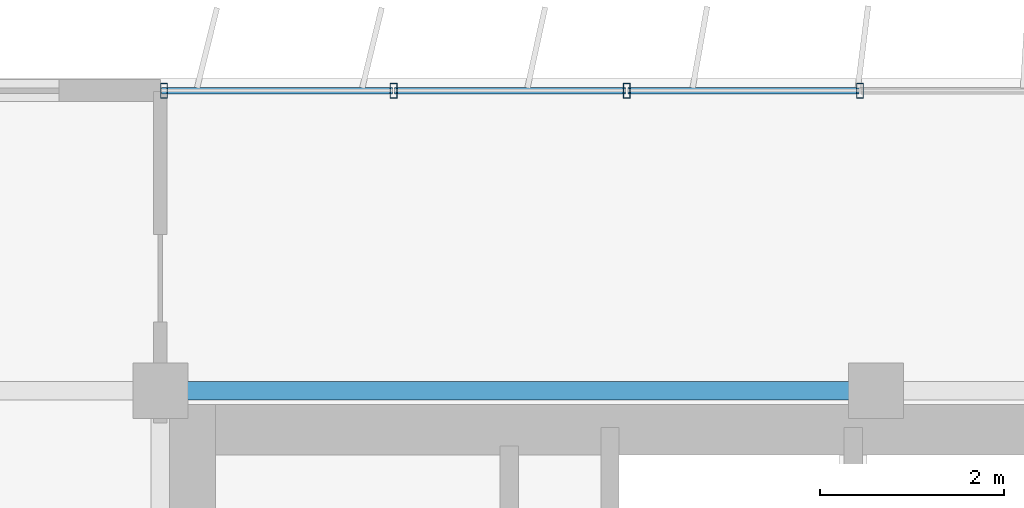
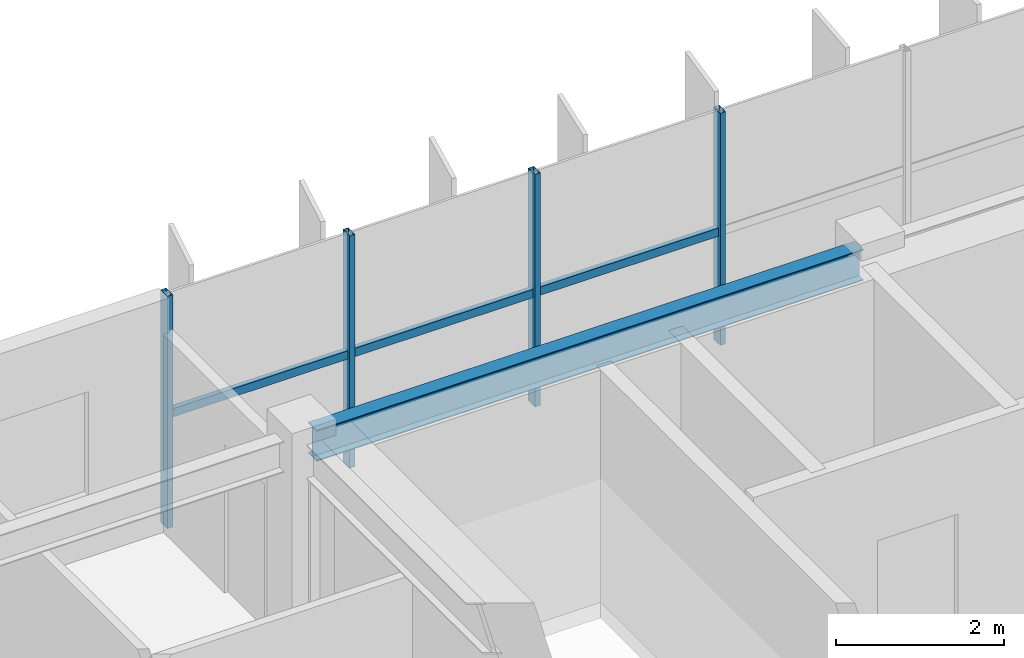
# One storey, part 6 of 23: 7 members, 1 beam, 1 element without a shape of its own.
"""IFC4 building model written with IfcOpenShell, lengths in metres."""

import ifcopenshell
import ifcopenshell.guid

model = None  # the IFC model being written
_history = None  # IfcOwnerHistory: only IFC2X3 demands one
_inside = {}  # id of a spatial element -> (the spatial element, [elements in it])
_under = {}  # id of a project, library or spatial element -> (it, [spatial elements below it])
_declared = {}  # id of a project -> (the project, [libraries it declares])
_typed = {}  # id of a type object -> (the type object, [elements of that type])
_made_of = {}  # id of a material, layer set ... -> (it, [elements and type objects made of it])


def new_model(schema):
    """Start an empty IFC model of exactly this schema.

    Asked for "IFC4X3", IfcOpenShell would pick the latest addendum, in which some entities
    have other attributes; the version numbers below select the first issue.
    IFC2X3 requires an IfcOwnerHistory on every rooted entity: one is made here for all.
    """
    global model, _history
    if schema == "IFC4X3":
        model = ifcopenshell.file(schema_version=(4, 3, 0, 0))
    else:
        model = ifcopenshell.file(schema=schema)
    _inside.clear()
    _under.clear()
    _declared.clear()
    _typed.clear()
    _made_of.clear()
    _history = None
    if model.schema == "IFC2X3":
        org = make("IfcOrganization", Name="unknown")
        user = make(
            "IfcPersonAndOrganization",
            ThePerson=make("IfcPerson", FamilyName="unknown"),
            TheOrganization=org,
        )
        app = make(
            "IfcApplication",
            ApplicationDeveloper=org,
            Version="unknown",
            ApplicationFullName="unknown",
            ApplicationIdentifier="unknown",
        )
        _history = make(
            "IfcOwnerHistory",
            OwningUser=user,
            OwningApplication=app,
            ChangeAction="ADDED",
            CreationDate=0,
        )
    return model


def make(cls, **values):
    """One entity of the class cls with the attributes given. An attribute that is None is left unset."""
    return model.create_entity(
        cls, **{name: value for name, value in values.items() if value is not None}
    )


def rooted(cls, **values):
    """An entity with a GlobalId (a new one), such as an element, a storey or a relation."""
    return make(cls, GlobalId=ifcopenshell.guid.new(), OwnerHistory=_history, **values)


def si_unit(unit_type, name, prefix=None):
    """IfcSIUnit, for example si_unit("LENGTHUNIT", "METRE", prefix="MILLI")."""
    return make("IfcSIUnit", UnitType=unit_type, Prefix=prefix, Name=name)


def assignment(units):
    """IfcUnitAssignment: the units of a project."""
    return None if units is None else make("IfcUnitAssignment", Units=units)


def point(xyz):
    """IfcCartesianPoint."""
    return None if xyz is None else make("IfcCartesianPoint", Coordinates=xyz)


def direction(xyz):
    """IfcDirection."""
    return None if xyz is None else make("IfcDirection", DirectionRatios=xyz)


def frame(location, z_axis=None, x_axis=None):
    """IfcAxis2Placement3D, a coordinate frame: its origin and axes. An axis left out is left unset."""
    return make(
        "IfcAxis2Placement3D",
        Location=point(location),
        Axis=direction(z_axis),
        RefDirection=direction(x_axis),
    )


def frame_2d(location, x_axis=None):
    """IfcAxis2Placement2D, a coordinate frame in the plane: its origin and x axis."""
    return make(
        "IfcAxis2Placement2D", Location=point(location), RefDirection=direction(x_axis)
    )


def origin():
    """The frame at (0, 0, 0) with its axes left unset."""
    return frame((0.0, 0.0, 0.0))


def origin_2d():
    """The frame at (0, 0) in the plane with its x axis left unset."""
    return frame_2d((0.0, 0.0))


def place(relative_to, where):
    """IfcLocalPlacement: puts the frame where relative to a parent placement (None: the world)."""
    return make(
        "IfcLocalPlacement", PlacementRelTo=relative_to, RelativePlacement=where
    )


def context(
    kind, dimensions, precision=None, world=None, true_north=None, identifier=None
):
    """IfcGeometricRepresentationContext, for example the 3D "Model" context."""
    return make(
        "IfcGeometricRepresentationContext",
        ContextIdentifier=identifier,
        ContextType=kind,
        CoordinateSpaceDimension=dimensions,
        Precision=precision,
        WorldCoordinateSystem=world,
        TrueNorth=true_north,
    )


def subcontext(parent, identifier, kind, view, scale=None):
    """IfcGeometricRepresentationSubContext, for example "Body" below "Model"."""
    return make(
        "IfcGeometricRepresentationSubContext",
        ContextIdentifier=identifier,
        ContextType=kind,
        ParentContext=parent,
        TargetScale=scale,
        TargetView=view,
    )


def project(units=None, contexts=None):
    """IfcProject with its units and contexts."""
    return rooted(
        "IfcProject",
        Name="project",
        RepresentationContexts=contexts,
        UnitsInContext=assignment(units),
    )


def spatial(cls, under=None, at=None, **own):
    """A site, building, storey or space (cls), placed at a placement, below another one or the project."""
    s = rooted(cls, ObjectPlacement=at, **own)
    if under is not None:
        _under.setdefault(under.id(), (under, []))[1].append(s)
    return s


def profile(cls, at=None, kind="AREA", **sizes):
    """A parametric profile (cls). Its sizes go by their IFC names, for example OverallWidth=200.0."""
    return make(cls, ProfileType=kind, Position=at, **sizes)


def hollow_rectangle(**sizes):
    """IfcRectangleHollowProfileDef."""
    return profile("IfcRectangleHollowProfileDef", **sizes)


def i_section(**sizes):
    """IfcIShapeProfileDef."""
    return profile("IfcIShapeProfileDef", **sizes)


def extrude(swept, where, along, depth):
    """IfcExtrudedAreaSolid: the profile swept, set in the frame where, extruded along a direction by depth."""
    return make(
        "IfcExtrudedAreaSolid",
        SweptArea=swept,
        Position=where,
        ExtrudedDirection=direction(along),
        Depth=depth,
    )


def shape(context_of_items, identifier, shape_type, items):
    """IfcShapeRepresentation: the items that make up one representation, for example the "Body"."""
    return make(
        "IfcShapeRepresentation",
        ContextOfItems=context_of_items,
        RepresentationIdentifier=identifier,
        RepresentationType=shape_type,
        Items=items,
    )


def source(mapping_origin, context_of_items, identifier, shape_type, items):
    """IfcRepresentationMap: a shape defined once, which mapped items show again and again."""
    return make(
        "IfcRepresentationMap",
        MappingOrigin=mapping_origin,
        MappedRepresentation=shape(context_of_items, identifier, shape_type, items),
    )


def transform(
    local_origin,
    x_axis=None,
    y_axis=None,
    z_axis=None,
    scale=None,
    scale2=None,
    scale3=None,
    uniform=True,
):
    """IfcCartesianTransformationOperator3D, or its non-uniform kind. x_axis, y_axis, z_axis: its Axis1, 2, 3."""
    if uniform:
        return make(
            "IfcCartesianTransformationOperator3D",
            Axis1=direction(x_axis),
            Axis2=direction(y_axis),
            LocalOrigin=point(local_origin),
            Scale=scale,
            Axis3=direction(z_axis),
        )
    return make(
        "IfcCartesianTransformationOperator3DnonUniform",
        Axis1=direction(x_axis),
        Axis2=direction(y_axis),
        LocalOrigin=point(local_origin),
        Scale=scale,
        Axis3=direction(z_axis),
        Scale2=scale2,
        Scale3=scale3,
    )


def mapped(mapping_source, mapping_target):
    """IfcMappedItem: shows the shape of a source again, moved by a transform."""
    return make(
        "IfcMappedItem", MappingSource=mapping_source, MappingTarget=mapping_target
    )


def material(Name=None, Category=None):
    """IfcMaterial."""
    return make("IfcMaterial", Name=Name, Category=Category)


def material_profile(
    of_material, cross_section, Name=None, Category=None, Priority=None
):
    """IfcMaterialProfile: a cross section and its material."""
    return make(
        "IfcMaterialProfile",
        Name=Name,
        Material=of_material,
        Profile=cross_section,
        Priority=Priority,
        Category=Category,
    )


def profile_set(profiles, Name=None, composite=None):
    """IfcMaterialProfileSet."""
    return make(
        "IfcMaterialProfileSet",
        Name=Name,
        MaterialProfiles=profiles,
        CompositeProfile=composite,
    )


def made_of(thing, what):
    """Note that an element or type object is made of a material, layer set ...; save() writes the relation."""
    if what is not None:
        _made_of.setdefault(what.id(), (what, []))[1].append(thing)
    return thing


def type_object(cls, material=None, **own):
    """A type object (cls), such as IfcWallType, which elements share."""
    return made_of(rooted(cls, **own), material)


def element(
    cls,
    number,
    at=None,
    inside=None,
    cuts=None,
    type_object=None,
    material=None,
    context=None,
    identifier="Body",
    shape_type=None,
    held_by="IfcProductDefinitionShape",
    body=None,
    shapes=None,
    **own,
):
    """One element of the class cls, such as IfcWall. Its Tag is "e" and its number.

    at: its placement. inside: the storey or other place that contains it. cuts: it is an
    opening in that element (IfcRelVoidsElement). A single representation is given by context,
    identifier, shape_type and body (its items); several are given by shapes. held_by: the class
    of the entity that holds the representations. save() writes the other relations.
    """
    e = rooted(cls, Tag="e%d" % number, ObjectPlacement=at, **own)
    if body is not None:
        shapes = [shape(context, identifier, shape_type, body)]
    if shapes is not None:
        e.Representation = make(held_by, Representations=shapes)
    if inside is not None:
        _inside.setdefault(inside.id(), (inside, []))[1].append(e)
    if cuts is not None:
        rooted(
            "IfcRelVoidsElement", RelatingBuildingElement=cuts, RelatedOpeningElement=e
        )
    if type_object is not None:
        _typed.setdefault(type_object.id(), (type_object, []))[1].append(e)
    return made_of(e, material)


def aggregate(whole, parts):
    """IfcRelAggregates: a whole, such as a stair, and the parts it consists of."""
    return rooted("IfcRelAggregates", RelatingObject=whole, RelatedObjects=parts)


def save(model, path):
    """Write the relations noted so far, then the file.

    IfcRelAggregates (storeys below a building ...), IfcRelContainedInSpatialStructure (elements
    in a storey), IfcRelDefinesByType, IfcRelAssociatesMaterial and IfcRelDeclares: one each for
    every whole, place, type object, material and project.
    """
    for whole, parts in _under.values():
        aggregate(whole, parts)
    for where, things in _inside.values():
        rooted(
            "IfcRelContainedInSpatialStructure",
            RelatedElements=things,
            RelatingStructure=where,
        )
    for kind, things in _typed.values():
        rooted("IfcRelDefinesByType", RelatedObjects=things, RelatingType=kind)
    for what, things in _made_of.values():
        rooted("IfcRelAssociatesMaterial", RelatedObjects=things, RelatingMaterial=what)
    for by, libraries in _declared.values():
        rooted("IfcRelDeclares", RelatingContext=by, RelatedDefinitions=libraries)
    model.write(path)


model = new_model("IFC4")

# Units and contexts
model_context = context("Model", 3, precision=1e-05, world=origin(), true_north=direction((0.0, 1.0)))
body_context = subcontext(model_context, "Body", "Model", "MODEL_VIEW")
ifc_project = project(units=[si_unit("LENGTHUNIT", "METRE"), si_unit("AREAUNIT", "SQUARE_METRE"), si_unit("VOLUMEUNIT", "CUBIC_METRE"), si_unit("PLANEANGLEUNIT", "RADIAN"), si_unit("MASSUNIT", "GRAM", prefix="KILO")], contexts=[model_context])

# Site, building, storey
site_placement = place(None, origin())
site = spatial("IfcSite", under=ifc_project, at=site_placement, CompositionType="ELEMENT")
building_placement = place(site_placement, origin())
building = spatial("IfcBuilding", under=site, at=building_placement, Name="Trelvane Seafront Commons", CompositionType="ELEMENT")
storey_placement = place(building_placement, frame((0.0, 0.0, 266.699951171875)))
storey = spatial("IfcBuildingStorey", under=building, at=storey_placement, Name="L69", CompositionType="ELEMENT", Elevation=266.699951171875)

# Beam
ifc_material_1 = material(Name="Steel SM355 (S355)", Category="steel")
ifc_material_profile_1 = material_profile(ifc_material_1, i_section(OverallWidth=0.199951171875, OverallDepth=0.449951171875, WebThickness=0.009033203125, FlangeThickness=0.013916015625, at=origin_2d()), Name="H-450x200x9x14")
ifc_profile_set_1 = profile_set([ifc_material_profile_1], Name="Steel SM355 (S355)")
beam_type = type_object("IfcBeamType", Name="STR-SPD-H450", PredefinedType="SPANDREL", material=ifc_profile_set_1)
shared_shape_1 = source(origin(), body_context, "Body", "SweptSolid", [
    extrude(i_section(OverallWidth=0.199951171875, OverallDepth=0.449951171875, WebThickness=0.009033203125, FlangeThickness=0.013916015625, at=origin_2d()), origin(), (0.0, 0.0, 1.0), 7.5),
])
beam_placement = place(storey_placement, frame((15.75, 45.10009765625, 3.14501953125), z_axis=(1.0, 0.0, 0.0), x_axis=(0.0, 1.0, 0.0)))
element("IfcBeam", 1, at=beam_placement, inside=storey, type_object=beam_type, Name="L69 Primary Girder G-23", PredefinedType="SPANDREL", context=body_context, shape_type="MappedRepresentation", body=[
    mapped(shared_shape_1, transform((0.0, 0.0, 0.0), x_axis=(1.0, 0.0, 0.0), y_axis=(0.0, 1.0, 0.0), z_axis=(0.0, 0.0, 1.0), scale=1.0)),
])

# Curtain wall, members
ifc_material_2 = material(Name="Anodised pale-silver aluminium", Category="aluminium")
curtain_wall_type = type_object("IfcCurtainWallType", Name="ARCH-CW5-UPTOWER", PredefinedType="NOTDEFINED", material=ifc_material_2)
curtain_wall_placement = place(storey_placement, origin())
curtain_wall = element("IfcCurtainWall", 2, at=curtain_wall_placement, inside=storey, type_object=curtain_wall_type, Name="CW-L69-0113", PredefinedType="NOTDEFINED")
ifc_material_profile_2 = material_profile(ifc_material_2, hollow_rectangle(XDim=0.070068359375, YDim=0.1201171875, WallThickness=0.00390625, at=origin_2d()), Name="TRAN-70x120x4")
ifc_profile_set_2 = profile_set([ifc_material_profile_2], Name="Anodised pale-silver aluminium")
member_type_1 = type_object("IfcMemberType", Name="ARCH-CW-TRAN-120", PredefinedType="USERDEFINED", material=ifc_profile_set_2)
shared_shape_2 = source(origin(), body_context, "Body", "SweptSolid", [
    extrude(hollow_rectangle(XDim=0.070068359375, YDim=0.1201171875, WallThickness=0.00390625, at=origin_2d()), origin(), (0.0, 0.0, 1.0), 2.51708984375),
])
member_1_placement = place(storey_placement, frame((15.612060546875, 48.3701171875, 1.6181640625), z_axis=(1.0, 0.0, 0.0), x_axis=(0.0, 1.0, 0.0)))
member_1 = element("IfcMember", 3, at=member_1_placement, type_object=member_type_1, Name="CW-L69-0113-T00", ObjectType="TRANSOM", PredefinedType="USERDEFINED", context=body_context, shape_type="MappedRepresentation", body=[
    mapped(shared_shape_2, transform((0.0, 0.0, 0.0), x_axis=(1.0, 0.0, 0.0), y_axis=(0.0, 1.0, 0.0), z_axis=(0.0, 0.0, 1.0), scale=1.0)),
])
member_2_placement = place(storey_placement, frame((18.1533203125, 48.3701171875, 1.6181640625), z_axis=(1.0, 0.0, 0.0), x_axis=(0.0, 1.0, 0.0)))
member_2 = element("IfcMember", 4, at=member_2_placement, type_object=member_type_1, Name="CW-L69-0113-T01", ObjectType="TRANSOM", PredefinedType="USERDEFINED", context=body_context, shape_type="MappedRepresentation", body=[
    mapped(shared_shape_2, transform((0.0, 0.0, 0.0), x_axis=(1.0, 0.0, 0.0), y_axis=(0.0, 1.0, 0.0), z_axis=(0.0, 0.0, 1.0), scale=1.0)),
])
member_3_placement = place(storey_placement, frame((20.6943359375, 48.3701171875, 1.6181640625), z_axis=(1.0, 0.0, 0.0), x_axis=(0.0, 1.0, 0.0)))
member_3 = element("IfcMember", 5, at=member_3_placement, type_object=member_type_1, Name="CW-L69-0113-T02", ObjectType="TRANSOM", PredefinedType="USERDEFINED", context=body_context, shape_type="MappedRepresentation", body=[
    mapped(shared_shape_2, transform((0.0, 0.0, 0.0), x_axis=(1.0, 0.0, 0.0), y_axis=(0.0, 1.0, 0.0), z_axis=(0.0, 0.0, 1.0), scale=1.0)),
])
ifc_material_profile_3 = material_profile(ifc_material_2, hollow_rectangle(XDim=0.074951171875, YDim=0.159912109375, WallThickness=0.00390625, at=origin_2d()), Name="MULL-75x160x4")
ifc_profile_set_3 = profile_set([ifc_material_profile_3], Name="Anodised pale-silver aluminium")
member_type_2 = type_object("IfcMemberType", Name="ARCH-CW-MULL-160", PredefinedType="MULLION", material=ifc_profile_set_3)
shared_shape_3 = source(origin(), body_context, "Body", "SweptSolid", [
    extrude(hollow_rectangle(XDim=0.074951171875, YDim=0.159912109375, WallThickness=0.00390625, at=origin_2d()), origin(), (0.0, 0.0, 1.0), 3.3701171875),
])
member_4_placement = place(storey_placement, frame((15.639892578125, 48.3701171875, 0.0), z_axis=(0.0, 0.0, 1.0), x_axis=(1.0, 0.0, 0.0)))
member_4 = element("IfcMember", 6, at=member_4_placement, type_object=member_type_2, Name="CW-L69-0113-M00", PredefinedType="MULLION", context=body_context, shape_type="MappedRepresentation", body=[
    mapped(shared_shape_3, transform((0.0, 0.0, 0.0), x_axis=(1.0, 0.0, 0.0), y_axis=(0.0, 1.0, 0.0), z_axis=(0.0, 0.0, 1.0), scale=1.0)),
])
member_5_placement = place(storey_placement, frame((18.14111328125, 48.3701171875, 0.0), z_axis=(0.0, 0.0, 1.0), x_axis=(1.0, 0.0, 0.0)))
member_5 = element("IfcMember", 7, at=member_5_placement, type_object=member_type_2, Name="CW-L69-0113-M01", PredefinedType="MULLION", context=body_context, shape_type="MappedRepresentation", body=[
    mapped(shared_shape_3, transform((0.0, 0.0, 0.0), x_axis=(1.0, 0.0, 0.0), y_axis=(0.0, 1.0, 0.0), z_axis=(0.0, 0.0, 1.0), scale=1.0)),
])
member_6_placement = place(storey_placement, frame((20.682373046875, 48.3701171875, 0.0), z_axis=(0.0, 0.0, 1.0), x_axis=(1.0, 0.0, 0.0)))
member_6 = element("IfcMember", 8, at=member_6_placement, type_object=member_type_2, Name="CW-L69-0113-M02", PredefinedType="MULLION", context=body_context, shape_type="MappedRepresentation", body=[
    mapped(shared_shape_3, transform((0.0, 0.0, 0.0), x_axis=(1.0, 0.0, 0.0), y_axis=(0.0, 1.0, 0.0), z_axis=(0.0, 0.0, 1.0), scale=1.0)),
])
member_7_placement = place(storey_placement, frame((23.223388671875, 48.3701171875, 0.0), z_axis=(0.0, 0.0, 1.0), x_axis=(1.0, 0.0, 0.0)))
member_7 = element("IfcMember", 9, at=member_7_placement, type_object=member_type_2, Name="CW-L69-0113-M03", PredefinedType="MULLION", context=body_context, shape_type="MappedRepresentation", body=[
    mapped(shared_shape_3, transform((0.0, 0.0, 0.0), x_axis=(1.0, 0.0, 0.0), y_axis=(0.0, 1.0, 0.0), z_axis=(0.0, 0.0, 1.0), scale=1.0)),
])
aggregate(curtain_wall, [member_4, member_5, member_6, member_7, member_1, member_2, member_3])

save(model, "model.ifc")
